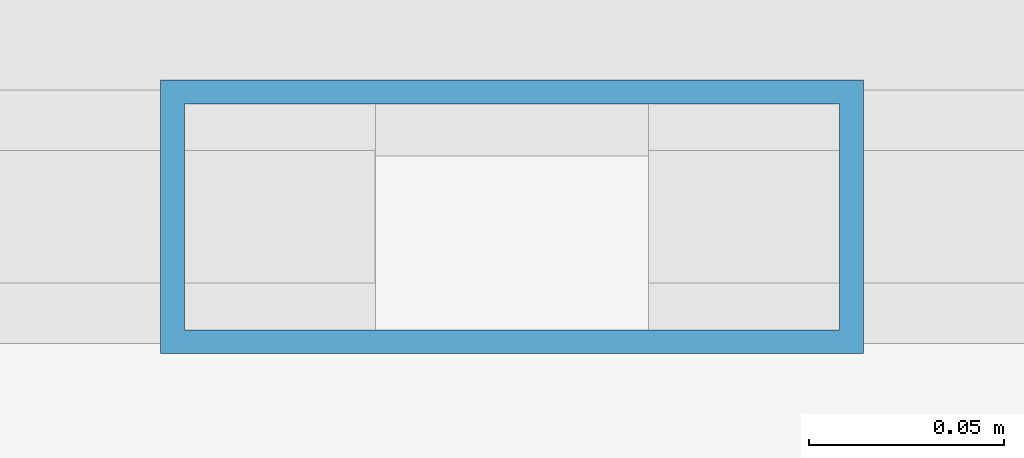
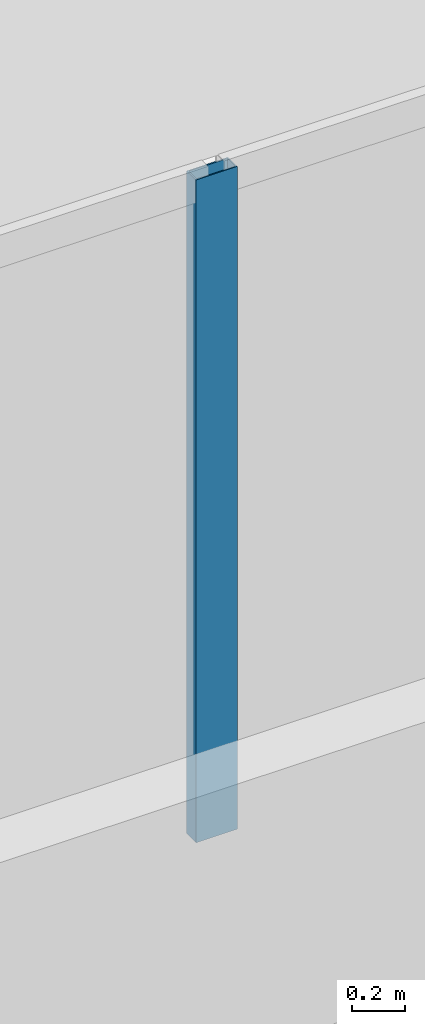
# One storey, part 7 of 32: 1 member, 1 element without a shape of its own.
"""IFC4 building model written with IfcOpenShell, lengths in metres."""

from ifc_helpers import new_model, si_unit, direction, frame, origin, origin_2d, place, context, subcontext, project, spatial, hollow_rectangle, extrude, source, transform, mapped, material, layer, layer_set, material_profile, profile_set, type_object, element, aggregate, save


model = new_model("IFC4")

# Units and contexts
model_context = context("Model", 3, precision=1e-05, world=origin(), true_north=direction((0.0, 1.0)))
body_context = subcontext(model_context, "Body", "Model", "MODEL_VIEW")
ifc_project = project(units=[si_unit("LENGTHUNIT", "METRE"), si_unit("AREAUNIT", "SQUARE_METRE"), si_unit("VOLUMEUNIT", "CUBIC_METRE"), si_unit("PLANEANGLEUNIT", "RADIAN"), si_unit("MASSUNIT", "GRAM", prefix="KILO")], contexts=[model_context])

# Site, building, storey
site_placement = place(None, origin())
site = spatial("IfcSite", under=ifc_project, at=site_placement, CompositionType="ELEMENT")
building_placement = place(site_placement, origin())
building = spatial("IfcBuilding", under=site, at=building_placement, Name="Sumidabori Civic Tower", CompositionType="ELEMENT")
storey_placement = place(building_placement, frame((0.0, 0.0, 298.199951171875)))
storey = spatial("IfcBuildingStorey", under=building, at=storey_placement, Name="RF Roof Crown", CompositionType="ELEMENT", Elevation=298.199951171875)

# Curtain wall, member
ifc_material = material(Name="Anodised Bronze Aluminium AW-6063-T6", Category="aluminium")
ifc_layer = layer(ifc_material, 0.179931640625, Name="Anodised Bronze Aluminium AW-6063-T6")
ifc_layer_set = layer_set([ifc_layer], Name="Anodised Bronze Aluminium AW-6063-T6")
curtain_wall_type = type_object("IfcCurtainWallType", Name="CW-SYS-6", PredefinedType="NOTDEFINED", material=ifc_layer_set)
curtain_wall_placement = place(storey_placement, origin())
curtain_wall = element("IfcCurtainWall", 1, at=curtain_wall_placement, inside=storey, type_object=curtain_wall_type, Name="Glass-Point Crown South Prow Curtain Wall", PredefinedType="NOTDEFINED")
ifc_material_profile = material_profile(ifc_material, hollow_rectangle(XDim=0.070068359375, YDim=0.179931640625, WallThickness=0.006103515625, at=origin_2d()), Name="ALU MULLION 180x70")
ifc_profile_set = profile_set([ifc_material_profile], Name="Anodised Bronze Aluminium AW-6063-T6")
member_type = type_object("IfcMemberType", Name="CW-MUL-180", PredefinedType="MULLION", material=ifc_profile_set)
shared_shape = source(origin(), body_context, "Body", "SweptSolid", [
    extrude(hollow_rectangle(XDim=0.070068359375, YDim=0.179931640625, WallThickness=0.006103515625, at=origin_2d()), origin(), (0.0, 0.0, 1.0), 3.050048828125),
])
member_placement = place(storey_placement, frame((8.25, -10.800048828125, 0.0), z_axis=(0.0, 0.0, 1.0), x_axis=(0.0, 1.0, 0.0)))
member = element("IfcMember", 2, at=member_placement, type_object=member_type, Name="CW-6 mullion 4", PredefinedType="MULLION", context=body_context, shape_type="MappedRepresentation", body=[
    mapped(shared_shape, transform((0.0, 0.0, 0.0), x_axis=(1.0, 0.0, 0.0), y_axis=(0.0, 1.0, 0.0), z_axis=(0.0, 0.0, 1.0), scale=1.0)),
])
aggregate(curtain_wall, [member])

save(model, "model.ifc")
